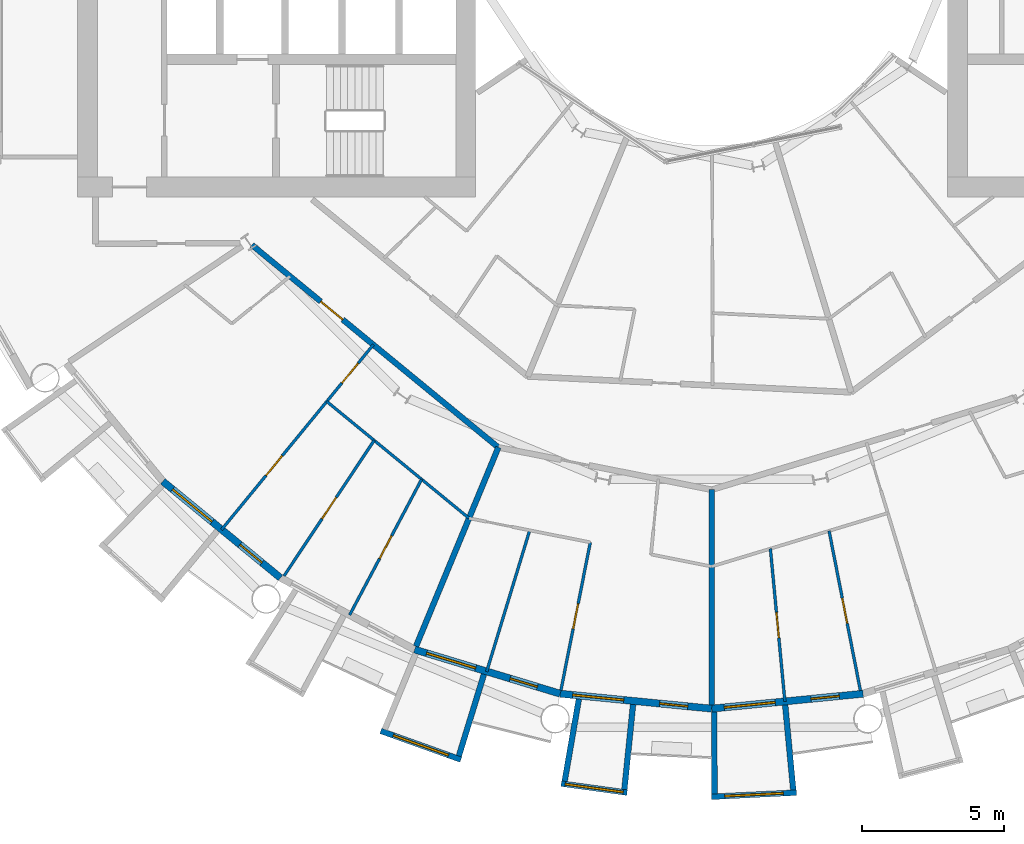
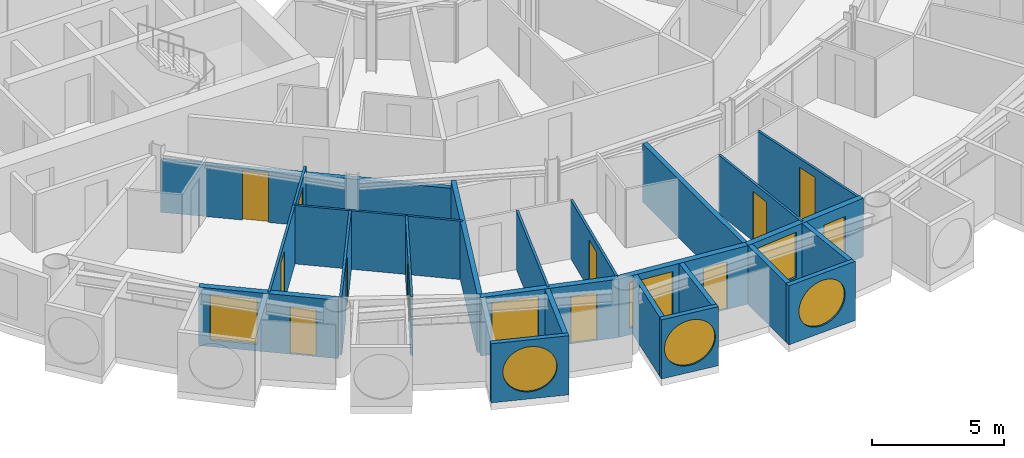
# One storey, part 13 of 26: 23 walls, 12 doors, 7 windows, 19 openings.
"""IFC4 building model written with IfcOpenShell, lengths in metres."""

from ifc_helpers import new_model, si_unit, direction, frame, frame_2d, origin, place, context, subcontext, project, spatial, rectangle, circle, extrude, material, layer, layer_set, type_object, element, fill, save


model = new_model("IFC4")

# Units and contexts
model_context = context("Model", 3, precision=1e-05, world=origin(), true_north=direction((0.0, 1.0)))
body_context = subcontext(model_context, "Body", "Model", "MODEL_VIEW")
ifc_project = project(units=[si_unit("LENGTHUNIT", "METRE"), si_unit("AREAUNIT", "SQUARE_METRE"), si_unit("VOLUMEUNIT", "CUBIC_METRE"), si_unit("PLANEANGLEUNIT", "RADIAN"), si_unit("MASSUNIT", "GRAM", prefix="KILO")], contexts=[model_context])

# Site, building, storey
site_placement = place(None, origin())
site = spatial("IfcSite", under=ifc_project, at=site_placement, CompositionType="ELEMENT")
building_placement = place(site_placement, origin())
building = spatial("IfcBuilding", under=site, at=building_placement, Name="Maasbend Ring Residences", CompositionType="ELEMENT")
storey_placement = place(building_placement, frame((0.0, 0.0, 72.75)))
storey = spatial("IfcBuildingStorey", under=building, at=storey_placement, Name="L20", CompositionType="ELEMENT", Elevation=72.75)

# Wall, opening, door
ifc_material_1 = material(Name="Concrete C30/37", Category="concrete")
ifc_layer_1 = layer(ifc_material_1, 0.199951171875)
ifc_layer_set_1 = layer_set([ifc_layer_1], Name="Concrete C30/37")
wall_type_1 = type_object("IfcWallType", Name="CORRIDOR WALL 200 CONCRETE", PredefinedType="PARTITIONING", material=ifc_layer_set_1)
wall_1_placement = place(storey_placement, frame((-16.172119140625, -10.989990234375, 0.0), z_axis=(0.0, 0.0, 1.0), x_axis=(0.772669779479, -0.634808169355, 0.0)))
wall_1 = element("IfcWall", 1, at=wall_1_placement, inside=storey, type_object=wall_type_1, Name="U-L20-w013", PredefinedType="PARTITIONING", context=body_context, shape_type="SweptSolid", body=[
    extrude(rectangle(XDim=11.2080078125, YDim=0.199951171875, at=frame_2d((5.60400390625, 0.0))), origin(), (0.0, 0.0, 1.0), 2.3798828125),
])
opening_1_placement = place(wall_1_placement, frame((3.135009765625, 0.0, 0.0)))
opening_1 = element("IfcOpeningElement", 2, at=opening_1_placement, cuts=wall_1, Name="Opening D-2033", PredefinedType="OPENING", context=body_context, shape_type="SweptSolid", body=[
    extrude(rectangle(XDim=1.0, YDim=2.300048828125, at=frame_2d((0.5, 1.14990234375))), frame((0.0, 0.10986328125, 0.0), z_axis=(0.0, -1.0, 0.0), x_axis=(1.0, 0.0, 0.0)), (0.0, 0.0, 1.0), 0.219970703125),
])
ifc_material_2 = material(Name="Timber, fire-rated, painted", Category="wood")
door_type_1 = type_object("IfcDoorType", Name="FLAT ENTRANCE DOOR 1000 X 2300 FIRE-RATED", OperationType="NOTDEFINED", PredefinedType="DOOR", material=ifc_material_2)
door_1_placement = place(opening_1_placement, origin())
door_1 = element("IfcDoor", 3, at=door_1_placement, inside=storey, type_object=door_type_1, Name="D-2033", OperationType="SINGLE_SWING_LEFT", OverallHeight=2.300048828125, OverallWidth=1.0, PredefinedType="DOOR", context=body_context, shape_type="SweptSolid", body=[
    extrude(rectangle(XDim=1.0, YDim=2.300048828125, at=frame_2d((0.5, 1.14990234375))), frame((0.0, 0.02490234375, 0.0), z_axis=(0.0, -1.0, 0.0), x_axis=(1.0, 0.0, 0.0)), (0.0, 0.0, 1.0), 0.050048828125),
])
fill(opening_1, door_1)

# Wall, opening, window
ifc_material_3 = material(Name="Pale anodised aluminium panel", Category="aluminium")
ifc_layer_2 = layer(ifc_material_3, 0.199951171875)
ifc_layer_set_2 = layer_set([ifc_layer_2], Name="EW-BOX")
wall_type_2 = type_object("IfcWallType", Name="EW-BOX", PredefinedType="SOLIDWALL", material=ifc_layer_set_2)
wall_2_placement = place(storey_placement, frame((-11.637939453125, -28.083984375, -0.030029296875), z_axis=(0.0, 0.0, 1.0), x_axis=(0.941461077774, -0.337121697664, 0.0)))
wall_2 = element("IfcWall", 4, at=wall_2_placement, inside=storey, type_object=wall_type_2, Name="Box front S07", PredefinedType="SOLIDWALL", context=body_context, shape_type="SweptSolid", body=[
    extrude(rectangle(XDim=2.9931640625, YDim=0.199951171875, at=frame_2d((1.49658203125, 0.0))), origin(), (0.0, 0.0, 1.0), 2.72998046875),
])
opening_2_placement = place(wall_2_placement, frame((0.45654296875, 0.0, 0.330078125)))
opening_2 = element("IfcOpeningElement", 5, at=opening_2_placement, cuts=wall_2, Name="Opening W-RD", PredefinedType="OPENING", context=body_context, shape_type="SweptSolid", body=[
    extrude(circle(Radius=1.0400390625, at=frame_2d((1.0400390625, 1.0400390625))), frame((0.0, 0.10986328125, 0.0), z_axis=(0.0, -1.0, 0.0), x_axis=(1.0, 0.0, 0.0)), (0.0, 0.0, 1.0), 0.219970703125),
])
ifc_material_4 = material(Name="Aluminium and clear glass", Category="aluminium")
window_type_1 = type_object("IfcWindowType", Name="W-RD", PartitioningType="SINGLE_PANEL", PredefinedType="WINDOW", material=ifc_material_4)
window_1_placement = place(opening_2_placement, origin())
window_1 = element("IfcWindow", 6, at=window_1_placement, inside=storey, type_object=window_type_1, Name="Round window S07", OverallHeight=2.080078125, OverallWidth=2.080078125, PartitioningType="SINGLE_PANEL", PredefinedType="WINDOW", context=body_context, shape_type="SweptSolid", body=[
    extrude(circle(Radius=1.0400390625, at=frame_2d((1.0400390625, 1.0400390625))), frame((0.0, 0.030029296875, 0.0), z_axis=(0.0, -1.0, 0.0), x_axis=(1.0, 0.0, 0.0)), (0.0, 0.0, 1.0), 0.06005859375),
])
fill(opening_2, window_1)

# Wall
wall_3_placement = place(storey_placement, frame((-8.009033203125, -26.092041015625, -0.030029296875), z_axis=(0.0, 0.0, 1.0), x_axis=(-0.293406695073, -0.955987715029, 0.0)))
element("IfcWall", 7, at=wall_3_placement, inside=storey, type_object=wall_type_2, Name="Box side wall S07 right", PredefinedType="SOLIDWALL", context=body_context, shape_type="SweptSolid", body=[
    extrude(rectangle(XDim=3.00634765625, YDim=0.199951171875, at=frame_2d((1.503173828125, 0.0))), origin(), (0.0, 0.0, 1.0), 2.72998046875),
])

# Wall, opening, window
wall_4_placement = place(storey_placement, frame((-5.2900390625, -29.93603515625, -0.030029296875), z_axis=(0.0, 0.0, 1.0), x_axis=(0.990696111261, -0.136092671119, 0.0)))
wall_4 = element("IfcWall", 8, at=wall_4_placement, inside=storey, type_object=wall_type_2, Name="Box front S09", PredefinedType="SOLIDWALL", context=body_context, shape_type="SweptSolid", body=[
    extrude(rectangle(XDim=2.335693359375, YDim=0.199951171875, at=frame_2d((1.16796875, 0.0))), origin(), (0.0, 0.0, 1.0), 2.72998046875),
])
opening_3_placement = place(wall_4_placement, frame((0.128173828125, 0.0, 0.330078125)))
opening_3 = element("IfcOpeningElement", 9, at=opening_3_placement, cuts=wall_4, Name="Opening W-RD", PredefinedType="OPENING", context=body_context, shape_type="SweptSolid", body=[
    extrude(circle(Radius=1.0400390625, at=frame_2d((1.0400390625, 1.0400390625))), frame((0.0, 0.10986328125, 0.0), z_axis=(0.0, -1.0, 0.0), x_axis=(1.0, 0.0, 0.0)), (0.0, 0.0, 1.0), 0.219970703125),
])
window_2_placement = place(opening_3_placement, origin())
window_2 = element("IfcWindow", 10, at=window_2_placement, inside=storey, type_object=window_type_1, Name="Round window S09", OverallHeight=2.080078125, OverallWidth=2.080078125, PartitioningType="SINGLE_PANEL", PredefinedType="WINDOW", context=body_context, shape_type="SweptSolid", body=[
    extrude(circle(Radius=1.0400390625, at=frame_2d((1.0400390625, 1.0400390625))), frame((0.0, 0.030029296875, 0.0), z_axis=(0.0, -1.0, 0.0), x_axis=(1.0, 0.0, 0.0)), (0.0, 0.0, 1.0), 0.06005859375),
])
fill(opening_3, window_2)

# Walls
wall_5_placement = place(storey_placement, frame((-4.6708984375, -26.966064453125, -0.030029296875), z_axis=(0.0, 0.0, 1.0), x_axis=(-0.170539878907, -0.985350774954, 0.0)))
element("IfcWall", 11, at=wall_5_placement, inside=storey, type_object=wall_type_2, Name="Box side wall S09 left", PredefinedType="SOLIDWALL", context=body_context, shape_type="SweptSolid", body=[
    extrude(rectangle(XDim=2.931884765625, YDim=0.199951171875, at=frame_2d((1.4658203125, 0.0))), origin(), (0.0, 0.0, 1.0), 2.72998046875),
])
wall_6_placement = place(storey_placement, frame((-2.763916015625, -27.153076171875, -0.030029296875), z_axis=(0.0, 0.0, 1.0), x_axis=(-0.101505487237, -0.994834979311, 0.0)))
element("IfcWall", 12, at=wall_6_placement, inside=storey, type_object=wall_type_2, Name="Box side wall S09 right", PredefinedType="SOLIDWALL", context=body_context, shape_type="SweptSolid", body=[
    extrude(rectangle(XDim=3.006591796875, YDim=0.199951171875, at=frame_2d((1.50341796875, 0.0))), origin(), (0.0, 0.0, 1.0), 2.72998046875),
])

# Wall, opening, window
wall_7_placement = place(storey_placement, frame((-0.0048828125, -30.39990234375, -0.030029296875), z_axis=(0.0, 0.0, 1.0), x_axis=(0.998794083011, 0.049095618353, 0.0)))
wall_7 = element("IfcWall", 13, at=wall_7_placement, inside=storey, type_object=wall_type_2, Name="Box front S11", PredefinedType="SOLIDWALL", context=body_context, shape_type="SweptSolid", body=[
    extrude(rectangle(XDim=2.99365234375, YDim=0.199951171875, at=frame_2d((1.496826171875, 0.0))), origin(), (0.0, 0.0, 1.0), 2.72998046875),
])
opening_4_placement = place(wall_7_placement, frame((0.45654296875, 0.0, 0.330078125)))
opening_4 = element("IfcOpeningElement", 14, at=opening_4_placement, cuts=wall_7, Name="Opening W-RD", PredefinedType="OPENING", context=body_context, shape_type="SweptSolid", body=[
    extrude(circle(Radius=1.0400390625, at=frame_2d((1.0400390625, 1.0400390625))), frame((0.0, 0.10986328125, 0.0), z_axis=(0.0, -1.0, 0.0), x_axis=(1.0, 0.0, 0.0)), (0.0, 0.0, 1.0), 0.219970703125),
])
window_3_placement = place(opening_4_placement, origin())
window_3 = element("IfcWindow", 15, at=window_3_placement, inside=storey, type_object=window_type_1, Name="Round window S11", OverallHeight=2.080078125, OverallWidth=2.080078125, PartitioningType="SINGLE_PANEL", PredefinedType="WINDOW", context=body_context, shape_type="SweptSolid", body=[
    extrude(circle(Radius=1.0400390625, at=frame_2d((1.0400390625, 1.0400390625))), frame((0.0, 0.030029296875, 0.0), z_axis=(0.0, -1.0, 0.0), x_axis=(1.0, 0.0, 0.0)), (0.0, 0.0, 1.0), 0.06005859375),
])
fill(opening_4, window_3)

# Walls
wall_8_placement = place(storey_placement, frame((0.090087890625, -27.4169921875, -0.030029296875), z_axis=(0.0, 0.0, 1.0), x_axis=(0.00347308367, -0.999993968827, 0.0)))
element("IfcWall", 16, at=wall_8_placement, inside=storey, type_object=wall_type_2, Name="Box side wall S11 left", PredefinedType="SOLIDWALL", context=body_context, shape_type="SweptSolid", body=[
    extrude(rectangle(XDim=2.882080078125, YDim=0.199951171875, at=frame_2d((1.44091796875, 0.0))), origin(), (0.0, 0.0, 1.0), 2.72998046875),
])
wall_9_placement = place(storey_placement, frame((2.5859375, -27.1708984375, -0.030029296875), z_axis=(0.0, 0.0, 1.0), x_axis=(0.094548432284, -0.995520262954, 0.0)))
element("IfcWall", 17, at=wall_9_placement, inside=storey, type_object=wall_type_2, Name="Box side wall S11 right", PredefinedType="SOLIDWALL", context=body_context, shape_type="SweptSolid", body=[
    extrude(rectangle(XDim=3.005615234375, YDim=0.199951171875, at=frame_2d((1.5029296875, 0.0))), origin(), (0.0, 0.0, 1.0), 2.72998046875),
])

# Wall, openings, door, window
ifc_material_5 = material(Name="Aluminium clad insulated panel", Category="aluminium")
ifc_layer_3 = layer(ifc_material_5, 0.25)
ifc_layer_set_3 = layer_set([ifc_layer_3], Name="EW-GL")
wall_type_3 = type_object("IfcWallType", Name="EW-GL", PredefinedType="SOLIDWALL", material=ifc_layer_set_3)
wall_10_placement = place(storey_placement, frame((-19.303955078125, -19.303955078125, 0.0), z_axis=(0.0, 0.0, 1.0), x_axis=(0.773019449054, -0.634382322723, 0.0)))
wall_10 = element("IfcWall", 18, at=wall_10_placement, inside=storey, type_object=wall_type_3, Name="External wall S02", PredefinedType="SOLIDWALL", context=body_context, shape_type="SweptSolid", body=[
    extrude(rectangle(XDim=5.351806640625, YDim=0.25, at=frame_2d((2.67578125, 0.0))), origin(), (0.0, 0.0, 1.0), 2.699951171875),
])
opening_5_placement = place(wall_10_placement, frame((0.441162109375, 0.0, 0.300048828125)))
opening_5 = element("IfcOpeningElement", 19, at=opening_5_placement, cuts=wall_10, Name="Opening W-BX", PredefinedType="OPENING", context=body_context, shape_type="SweptSolid", body=[
    extrude(rectangle(XDim=1.800048828125, YDim=2.10009765625, at=frame_2d((0.89990234375, 1.050048828125))), frame((0.0, 0.135009765625, 0.0), z_axis=(0.0, -1.0, 0.0), x_axis=(1.0, 0.0, 0.0)), (0.0, 0.0, 1.0), 0.27001953125),
])
opening_6_placement = place(wall_10_placement, frame((3.510498046875, 0.0, 0.0)))
opening_6 = element("IfcOpeningElement", 20, at=opening_6_placement, cuts=wall_10, Name="Opening D-LG", PredefinedType="OPENING", context=body_context, shape_type="SweptSolid", body=[
    extrude(rectangle(XDim=1.0, YDim=2.199951171875, at=frame_2d((0.5, 1.10009765625))), frame((0.0, 0.135009765625, 0.0), z_axis=(0.0, -1.0, 0.0), x_axis=(1.0, 0.0, 0.0)), (0.0, 0.0, 1.0), 0.27001953125),
])
ifc_material_6 = material(Name="Aluminium and clear glass", Category="aluminium")
door_type_2 = type_object("IfcDoorType", Name="D-LG", OperationType="SINGLE_SWING_LEFT", PredefinedType="DOOR", material=ifc_material_6)
door_2_placement = place(opening_6_placement, origin())
door_2 = element("IfcDoor", 21, at=door_2_placement, inside=storey, type_object=door_type_2, Name="Loggia door S04", OperationType="SINGLE_SWING_LEFT", OverallHeight=2.199951171875, OverallWidth=1.0, PredefinedType="DOOR", context=body_context, shape_type="SweptSolid", body=[
    extrude(rectangle(XDim=1.0, YDim=2.199951171875, at=frame_2d((0.5, 1.10009765625))), frame((0.0, 0.02490234375, 0.0), z_axis=(0.0, -1.0, 0.0), x_axis=(1.0, 0.0, 0.0)), (0.0, 0.0, 1.0), 0.050048828125),
])
fill(opening_6, door_2)
ifc_material_7 = material(Name="Aluminium and clear glass", Category="aluminium")
window_type_2 = type_object("IfcWindowType", Name="W-BX", PartitioningType="DOUBLE_PANEL_VERTICAL", PredefinedType="WINDOW", material=ifc_material_7)
window_4_placement = place(opening_5_placement, origin())
window_4 = element("IfcWindow", 22, at=window_4_placement, inside=storey, type_object=window_type_2, Name="Window S03 room to box", OverallHeight=2.10009765625, OverallWidth=1.800048828125, PartitioningType="SINGLE_PANEL", PredefinedType="WINDOW", context=body_context, shape_type="SweptSolid", body=[
    extrude(rectangle(XDim=1.800048828125, YDim=2.10009765625, at=frame_2d((0.89990234375, 1.050048828125))), frame((0.0, 0.030029296875, 0.0), z_axis=(0.0, -1.0, 0.0), x_axis=(1.0, 0.0, 0.0)), (0.0, 0.0, 1.0), 0.06005859375),
])
fill(opening_5, window_4)

wall_11_placement = place(storey_placement, frame((-10.447021484375, -25.221923828125, 0.0), z_axis=(0.0, 0.0, 1.0), x_axis=(0.956965678721, -0.290201119486, 0.0)))
wall_11 = element("IfcWall", 23, at=wall_11_placement, inside=storey, type_object=wall_type_3, Name="External wall S04", PredefinedType="SOLIDWALL", context=body_context, shape_type="SweptSolid", body=[
    extrude(rectangle(XDim=5.351318359375, YDim=0.25, at=frame_2d((2.67578125, 0.0))), origin(), (0.0, 0.0, 1.0), 2.699951171875),
])
opening_7_placement = place(wall_11_placement, frame((0.441162109375, 0.0, 0.300048828125)))
opening_7 = element("IfcOpeningElement", 24, at=opening_7_placement, cuts=wall_11, Name="Opening W-BX", PredefinedType="OPENING", context=body_context, shape_type="SweptSolid", body=[
    extrude(rectangle(XDim=1.800048828125, YDim=2.10009765625, at=frame_2d((0.89990234375, 1.050048828125))), frame((0.0, 0.135009765625, 0.0), z_axis=(0.0, -1.0, 0.0), x_axis=(1.0, 0.0, 0.0)), (0.0, 0.0, 1.0), 0.27001953125),
])
opening_8_placement = place(wall_11_placement, frame((3.510498046875, 0.0, 0.0)))
opening_8 = element("IfcOpeningElement", 25, at=opening_8_placement, cuts=wall_11, Name="Opening D-LG", PredefinedType="OPENING", context=body_context, shape_type="SweptSolid", body=[
    extrude(rectangle(XDim=1.0, YDim=2.199951171875, at=frame_2d((0.5, 1.10009765625))), frame((0.0, 0.135009765625, 0.0), z_axis=(0.0, -1.0, 0.0), x_axis=(1.0, 0.0, 0.0)), (0.0, 0.0, 1.0), 0.27001953125),
])
door_3_placement = place(opening_8_placement, origin())
door_3 = element("IfcDoor", 26, at=door_3_placement, inside=storey, type_object=door_type_2, Name="Loggia door S08", OperationType="SINGLE_SWING_LEFT", OverallHeight=2.199951171875, OverallWidth=1.0, PredefinedType="DOOR", context=body_context, shape_type="SweptSolid", body=[
    extrude(rectangle(XDim=1.0, YDim=2.199951171875, at=frame_2d((0.5, 1.10009765625))), frame((0.0, 0.02490234375, 0.0), z_axis=(0.0, -1.0, 0.0), x_axis=(1.0, 0.0, 0.0)), (0.0, 0.0, 1.0), 0.050048828125),
])
fill(opening_8, door_3)
window_5_placement = place(opening_7_placement, origin())
window_5 = element("IfcWindow", 27, at=window_5_placement, inside=storey, type_object=window_type_2, Name="Window S07 room to box", OverallHeight=2.10009765625, OverallWidth=1.800048828125, PartitioningType="SINGLE_PANEL", PredefinedType="WINDOW", context=body_context, shape_type="SweptSolid", body=[
    extrude(rectangle(XDim=1.800048828125, YDim=2.10009765625, at=frame_2d((0.89990234375, 1.050048828125))), frame((0.0, 0.030029296875, 0.0), z_axis=(0.0, -1.0, 0.0), x_axis=(1.0, 0.0, 0.0)), (0.0, 0.0, 1.0), 0.06005859375),
])
fill(opening_7, window_5)

wall_12_placement = place(storey_placement, frame((-5.325927734375, -26.77490234375, 0.0), z_axis=(0.0, 0.0, 1.0), x_axis=(0.995173996315, -0.098126026407, 0.0)))
wall_12 = element("IfcWall", 28, at=wall_12_placement, inside=storey, type_object=wall_type_3, Name="External wall S05", PredefinedType="SOLIDWALL", context=body_context, shape_type="SweptSolid", body=[
    extrude(rectangle(XDim=5.351806640625, YDim=0.25, at=frame_2d((2.67578125, 0.0))), origin(), (0.0, 0.0, 1.0), 2.699951171875),
])
opening_9_placement = place(wall_12_placement, frame((0.441162109375, 0.0, 0.300048828125)))
opening_9 = element("IfcOpeningElement", 29, at=opening_9_placement, cuts=wall_12, Name="Opening W-BX", PredefinedType="OPENING", context=body_context, shape_type="SweptSolid", body=[
    extrude(rectangle(XDim=1.800048828125, YDim=2.10009765625, at=frame_2d((0.89990234375, 1.050048828125))), frame((0.0, 0.135009765625, 0.0), z_axis=(0.0, -1.0, 0.0), x_axis=(1.0, 0.0, 0.0)), (0.0, 0.0, 1.0), 0.27001953125),
])
opening_10_placement = place(wall_12_placement, frame((3.510498046875, 0.0, 0.0)))
opening_10 = element("IfcOpeningElement", 30, at=opening_10_placement, cuts=wall_12, Name="Opening D-LG", PredefinedType="OPENING", context=body_context, shape_type="SweptSolid", body=[
    extrude(rectangle(XDim=1.0, YDim=2.199951171875, at=frame_2d((0.5, 1.10009765625))), frame((0.0, 0.135009765625, 0.0), z_axis=(0.0, -1.0, 0.0), x_axis=(1.0, 0.0, 0.0)), (0.0, 0.0, 1.0), 0.27001953125),
])
door_4_placement = place(opening_10_placement, origin())
door_4 = element("IfcDoor", 31, at=door_4_placement, inside=storey, type_object=door_type_2, Name="Loggia door S10", OperationType="SINGLE_SWING_LEFT", OverallHeight=2.199951171875, OverallWidth=1.0, PredefinedType="DOOR", context=body_context, shape_type="SweptSolid", body=[
    extrude(rectangle(XDim=1.0, YDim=2.199951171875, at=frame_2d((0.5, 1.10009765625))), frame((0.0, 0.02490234375, 0.0), z_axis=(0.0, -1.0, 0.0), x_axis=(1.0, 0.0, 0.0)), (0.0, 0.0, 1.0), 0.050048828125),
])
fill(opening_10, door_4)
window_6_placement = place(opening_9_placement, origin())
window_6 = element("IfcWindow", 32, at=window_6_placement, inside=storey, type_object=window_type_2, Name="Window S09 room to box", OverallHeight=2.10009765625, OverallWidth=1.800048828125, PartitioningType="SINGLE_PANEL", PredefinedType="WINDOW", context=body_context, shape_type="SweptSolid", body=[
    extrude(rectangle(XDim=1.800048828125, YDim=2.10009765625, at=frame_2d((0.89990234375, 1.050048828125))), frame((0.0, 0.030029296875, 0.0), z_axis=(0.0, -1.0, 0.0), x_axis=(1.0, 0.0, 0.0)), (0.0, 0.0, 1.0), 0.06005859375),
])
fill(opening_9, window_6)

wall_13_placement = place(storey_placement, frame((0.0, -27.300048828125, 0.0), z_axis=(0.0, 0.0, 1.0), x_axis=(0.995173996315, 0.098126026407, 0.0)))
wall_13 = element("IfcWall", 33, at=wall_13_placement, inside=storey, type_object=wall_type_3, Name="External wall S06", PredefinedType="SOLIDWALL", context=body_context, shape_type="SweptSolid", body=[
    extrude(rectangle(XDim=5.351806640625, YDim=0.25, at=frame_2d((2.67578125, 0.0))), origin(), (0.0, 0.0, 1.0), 2.699951171875),
])
opening_11_placement = place(wall_13_placement, frame((0.441162109375, 0.0, 0.300048828125)))
opening_11 = element("IfcOpeningElement", 34, at=opening_11_placement, cuts=wall_13, Name="Opening W-BX", PredefinedType="OPENING", context=body_context, shape_type="SweptSolid", body=[
    extrude(rectangle(XDim=1.800048828125, YDim=2.10009765625, at=frame_2d((0.89990234375, 1.050048828125))), frame((0.0, 0.135009765625, 0.0), z_axis=(0.0, -1.0, 0.0), x_axis=(1.0, 0.0, 0.0)), (0.0, 0.0, 1.0), 0.27001953125),
])
opening_12_placement = place(wall_13_placement, frame((3.510498046875, 0.0, 0.0)))
opening_12 = element("IfcOpeningElement", 35, at=opening_12_placement, cuts=wall_13, Name="Opening D-LG", PredefinedType="OPENING", context=body_context, shape_type="SweptSolid", body=[
    extrude(rectangle(XDim=1.0, YDim=2.199951171875, at=frame_2d((0.5, 1.10009765625))), frame((0.0, 0.135009765625, 0.0), z_axis=(0.0, -1.0, 0.0), x_axis=(1.0, 0.0, 0.0)), (0.0, 0.0, 1.0), 0.27001953125),
])
door_5_placement = place(opening_12_placement, origin())
door_5 = element("IfcDoor", 36, at=door_5_placement, inside=storey, type_object=door_type_2, Name="Loggia door S12", OperationType="SINGLE_SWING_LEFT", OverallHeight=2.199951171875, OverallWidth=1.0, PredefinedType="DOOR", context=body_context, shape_type="SweptSolid", body=[
    extrude(rectangle(XDim=1.0, YDim=2.199951171875, at=frame_2d((0.5, 1.10009765625))), frame((0.0, 0.02490234375, 0.0), z_axis=(0.0, -1.0, 0.0), x_axis=(1.0, 0.0, 0.0)), (0.0, 0.0, 1.0), 0.050048828125),
])
fill(opening_12, door_5)
window_7_placement = place(opening_11_placement, origin())
window_7 = element("IfcWindow", 37, at=window_7_placement, inside=storey, type_object=window_type_2, Name="Window S11 room to box", OverallHeight=2.10009765625, OverallWidth=1.800048828125, PartitioningType="SINGLE_PANEL", PredefinedType="WINDOW", context=body_context, shape_type="SweptSolid", body=[
    extrude(rectangle(XDim=1.800048828125, YDim=2.10009765625, at=frame_2d((0.89990234375, 1.050048828125))), frame((0.0, 0.030029296875, 0.0), z_axis=(0.0, -1.0, 0.0), x_axis=(1.0, 0.0, 0.0)), (0.0, 0.0, 1.0), 0.06005859375),
])
fill(opening_11, window_7)

# Wall
ifc_material_8 = material(Name="Gypsum board on steel studs", Category="steel")
ifc_layer_4 = layer(ifc_material_8, 0.10009765625)
ifc_layer_set_4 = layer_set([ifc_layer_4], Name="PARTITION 100 GYPSUM")
wall_type_4 = type_object("IfcWallType", Name="PARTITION 100 GYPSUM", PredefinedType="PARTITIONING", material=ifc_layer_set_4)
wall_14_placement = place(storey_placement, frame((-13.5380859375, -16.49609375, 0.0), z_axis=(0.0, 0.0, 1.0), x_axis=(0.773000340237, -0.634405606843, 0.0)))
element("IfcWall", 38, at=wall_14_placement, inside=storey, type_object=wall_type_4, Name="U-L20-w008", PredefinedType="PARTITIONING", context=body_context, shape_type="SweptSolid", body=[
    extrude(rectangle(XDim=6.4736328125, YDim=0.10009765625, at=frame_2d((3.23681640625, 0.0))), origin(), (0.0, 0.0, 1.0), 2.699951171875),
])

# Wall, openings, doors
wall_15_placement = place(storey_placement, frame((-17.239990234375, -21.007080078125, 0.0), z_axis=(0.0, 0.0, 1.0), x_axis=(0.634396151441, 0.77300810024, 0.0)))
wall_15 = element("IfcWall", 39, at=wall_15_placement, inside=storey, type_object=wall_type_4, Name="U-L20-w034", PredefinedType="PARTITIONING", context=body_context, shape_type="SweptSolid", body=[
    extrude(rectangle(XDim=8.419189453125, YDim=0.10009765625, at=frame_2d((4.20947265625, 0.0))), origin(), (0.0, 0.0, 1.0), 2.699951171875),
])
opening_13_placement = place(wall_15_placement, frame((6.678955078125, 0.0, 0.0)))
opening_13 = element("IfcOpeningElement", 40, at=opening_13_placement, cuts=wall_15, Name="Opening D-2035", PredefinedType="OPENING", context=body_context, shape_type="SweptSolid", body=[
    extrude(rectangle(XDim=0.89990234375, YDim=2.300048828125, at=frame_2d((0.449951171875, 1.14990234375))), frame((0.0, 0.06005859375, 0.0), z_axis=(0.0, -1.0, 0.0), x_axis=(1.0, 0.0, 0.0)), (0.0, 0.0, 1.0), 0.1201171875),
])
opening_14_placement = place(wall_15_placement, frame((2.468017578125, 0.0, 0.0)))
opening_14 = element("IfcOpeningElement", 41, at=opening_14_placement, cuts=wall_15, Name="Opening D-2036", PredefinedType="OPENING", context=body_context, shape_type="SweptSolid", body=[
    extrude(rectangle(XDim=0.89990234375, YDim=2.300048828125, at=frame_2d((0.449951171875, 1.14990234375))), frame((0.0, 0.06005859375, 0.0), z_axis=(0.0, -1.0, 0.0), x_axis=(1.0, 0.0, 0.0)), (0.0, 0.0, 1.0), 0.1201171875),
])
ifc_material_9 = material(Name="Timber, painted", Category="wood")
door_type_3 = type_object("IfcDoorType", Name="INTERNAL DOOR 900 X 2300", OperationType="NOTDEFINED", PredefinedType="DOOR", material=ifc_material_9)
door_6_placement = place(opening_13_placement, origin())
door_6 = element("IfcDoor", 42, at=door_6_placement, inside=storey, type_object=door_type_3, Name="D-2035", OperationType="SINGLE_SWING_RIGHT", OverallHeight=2.300048828125, OverallWidth=0.89990234375, PredefinedType="DOOR", context=body_context, shape_type="SweptSolid", body=[
    extrude(rectangle(XDim=0.89990234375, YDim=2.300048828125, at=frame_2d((0.449951171875, 1.14990234375))), frame((0.0, 0.02490234375, 0.0), z_axis=(0.0, -1.0, 0.0), x_axis=(1.0, 0.0, 0.0)), (0.0, 0.0, 1.0), 0.050048828125),
])
fill(opening_13, door_6)
door_7_placement = place(opening_14_placement, origin())
door_7 = element("IfcDoor", 43, at=door_7_placement, inside=storey, type_object=door_type_3, Name="D-2036", OperationType="SINGLE_SWING_LEFT", OverallHeight=2.300048828125, OverallWidth=0.89990234375, PredefinedType="DOOR", context=body_context, shape_type="SweptSolid", body=[
    extrude(rectangle(XDim=0.89990234375, YDim=2.300048828125, at=frame_2d((0.449951171875, 1.14990234375))), frame((0.0, 0.02490234375, 0.0), z_axis=(0.0, -1.0, 0.0), x_axis=(1.0, 0.0, 0.0)), (0.0, 0.0, 1.0), 0.050048828125),
])
fill(opening_14, door_7)

# Wall, opening, door
wall_16_placement = place(storey_placement, frame((-15.041015625, -22.632080078125, 0.0), z_axis=(0.0, 0.0, 1.0), x_axis=(0.553637025191, 0.83275809473, 0.0)))
wall_16 = element("IfcWall", 44, at=wall_16_placement, inside=storey, type_object=wall_type_4, Name="U-L20-w037", PredefinedType="PARTITIONING", context=body_context, shape_type="SweptSolid", body=[
    extrude(rectangle(XDim=5.7255859375, YDim=0.10009765625, at=frame_2d((2.86279296875, 0.0))), origin(), (0.0, 0.0, 1.0), 2.699951171875),
])
opening_15_placement = place(wall_16_placement, frame((2.412109375, 0.0, 0.0)))
opening_15 = element("IfcOpeningElement", 45, at=opening_15_placement, cuts=wall_16, Name="Opening D-2037", PredefinedType="OPENING", context=body_context, shape_type="SweptSolid", body=[
    extrude(rectangle(XDim=0.89990234375, YDim=2.300048828125, at=frame_2d((0.449951171875, 1.14990234375))), frame((0.0, 0.06005859375, 0.0), z_axis=(0.0, -1.0, 0.0), x_axis=(1.0, 0.0, 0.0)), (0.0, 0.0, 1.0), 0.1201171875),
])
door_8_placement = place(opening_15_placement, origin())
door_8 = element("IfcDoor", 46, at=door_8_placement, inside=storey, type_object=door_type_3, Name="D-2037", OperationType="SINGLE_SWING_LEFT", OverallHeight=2.300048828125, OverallWidth=0.89990234375, PredefinedType="DOOR", context=body_context, shape_type="SweptSolid", body=[
    extrude(rectangle(XDim=0.89990234375, YDim=2.300048828125, at=frame_2d((0.449951171875, 1.14990234375))), frame((0.0, 0.02490234375, 0.0), z_axis=(0.0, -1.0, 0.0), x_axis=(1.0, 0.0, 0.0)), (0.0, 0.0, 1.0), 0.050048828125),
])
fill(opening_15, door_8)

wall_17_placement = place(storey_placement, frame((-12.73388671875, -24.007080078125, 0.0), z_axis=(0.0, 0.0, 1.0), x_axis=(0.468610030042, 0.883405139075, 0.0)))
wall_17 = element("IfcWall", 47, at=wall_17_placement, inside=storey, type_object=wall_type_4, Name="U-L20-w040", PredefinedType="PARTITIONING", context=body_context, shape_type="SweptSolid", body=[
    extrude(rectangle(XDim=5.403076171875, YDim=0.10009765625, at=frame_2d((2.70166015625, 0.0))), origin(), (0.0, 0.0, 1.0), 2.699951171875),
])
opening_16_placement = place(wall_17_placement, frame((2.251953125, 0.0, 0.0)))
opening_16 = element("IfcOpeningElement", 48, at=opening_16_placement, cuts=wall_17, Name="Opening D-2038", PredefinedType="OPENING", context=body_context, shape_type="SweptSolid", body=[
    extrude(rectangle(XDim=0.89990234375, YDim=2.300048828125, at=frame_2d((0.449951171875, 1.14990234375))), frame((0.0, 0.06005859375, 0.0), z_axis=(0.0, -1.0, 0.0), x_axis=(1.0, 0.0, 0.0)), (0.0, 0.0, 1.0), 0.1201171875),
])
door_9_placement = place(opening_16_placement, origin())
door_9 = element("IfcDoor", 49, at=door_9_placement, inside=storey, type_object=door_type_3, Name="D-2038", OperationType="SINGLE_SWING_LEFT", OverallHeight=2.300048828125, OverallWidth=0.89990234375, PredefinedType="DOOR", context=body_context, shape_type="SweptSolid", body=[
    extrude(rectangle(XDim=0.89990234375, YDim=2.300048828125, at=frame_2d((0.449951171875, 1.14990234375))), frame((0.0, 0.02490234375, 0.0), z_axis=(0.0, -1.0, 0.0), x_axis=(1.0, 0.0, 0.0)), (0.0, 0.0, 1.0), 0.050048828125),
])
fill(opening_16, door_9)

# Wall
wall_18_placement = place(storey_placement, frame((-7.9130859375, -25.9970703125, 0.0), z_axis=(0.0, 0.0, 1.0), x_axis=(0.291264462755, 0.956642573136, 0.0)))
element("IfcWall", 50, at=wall_18_placement, inside=storey, type_object=wall_type_4, Name="U-L20-w049", PredefinedType="PARTITIONING", context=body_context, shape_type="SweptSolid", body=[
    extrude(rectangle(XDim=5.1953125, YDim=0.10009765625, at=frame_2d((2.59765625, 0.0))), origin(), (0.0, 0.0, 1.0), 2.699951171875),
])

# Wall, opening, door
wall_19_placement = place(storey_placement, frame((-5.302001953125, -26.653076171875, 0.0), z_axis=(0.0, 0.0, 1.0), x_axis=(0.195115793364, 0.980780213493, 0.0)))
wall_19 = element("IfcWall", 51, at=wall_19_placement, inside=storey, type_object=wall_type_4, Name="U-L20-w053", PredefinedType="PARTITIONING", context=body_context, shape_type="SweptSolid", body=[
    extrude(rectangle(XDim=5.30419921875, YDim=0.10009765625, at=frame_2d((2.652099609375, 0.0))), origin(), (0.0, 0.0, 1.0), 2.699951171875),
])
opening_17_placement = place(wall_19_placement, frame((2.201904296875, 0.0, 0.0)))
opening_17 = element("IfcOpeningElement", 52, at=opening_17_placement, cuts=wall_19, Name="Opening D-2041", PredefinedType="OPENING", context=body_context, shape_type="SweptSolid", body=[
    extrude(rectangle(XDim=0.89990234375, YDim=2.300048828125, at=frame_2d((0.449951171875, 1.14990234375))), frame((0.0, 0.06005859375, 0.0), z_axis=(0.0, -1.0, 0.0), x_axis=(1.0, 0.0, 0.0)), (0.0, 0.0, 1.0), 0.1201171875),
])
door_10_placement = place(opening_17_placement, origin())
door_10 = element("IfcDoor", 53, at=door_10_placement, inside=storey, type_object=door_type_3, Name="D-2041", OperationType="SINGLE_SWING_LEFT", OverallHeight=2.300048828125, OverallWidth=0.89990234375, PredefinedType="DOOR", context=body_context, shape_type="SweptSolid", body=[
    extrude(rectangle(XDim=0.89990234375, YDim=2.300048828125, at=frame_2d((0.449951171875, 1.14990234375))), frame((0.0, 0.02490234375, 0.0), z_axis=(0.0, -1.0, 0.0), x_axis=(1.0, 0.0, 0.0)), (0.0, 0.0, 1.0), 0.050048828125),
])
fill(opening_17, door_10)

wall_20_placement = place(storey_placement, frame((2.06494140625, -21.674072265625, 0.0), z_axis=(0.0, 0.0, 1.0), x_axis=(0.094751520537, -0.99550095397, 0.0)))
wall_20 = element("IfcWall", 54, at=wall_20_placement, inside=storey, type_object=wall_type_4, Name="U-L20-w064", PredefinedType="PARTITIONING", context=body_context, shape_type="SweptSolid", body=[
    extrude(rectangle(XDim=5.4033203125, YDim=0.10009765625, at=frame_2d((2.70166015625, 0.0))), origin(), (0.0, 0.0, 1.0), 2.699951171875),
])
opening_18_placement = place(wall_20_placement, frame((2.251953125, 0.0, 0.0)))
opening_18 = element("IfcOpeningElement", 55, at=opening_18_placement, cuts=wall_20, Name="Opening D-2048", PredefinedType="OPENING", context=body_context, shape_type="SweptSolid", body=[
    extrude(rectangle(XDim=0.89990234375, YDim=2.300048828125, at=frame_2d((0.449951171875, 1.14990234375))), frame((0.0, 0.06005859375, 0.0), z_axis=(0.0, -1.0, 0.0), x_axis=(1.0, 0.0, 0.0)), (0.0, 0.0, 1.0), 0.1201171875),
])
door_11_placement = place(opening_18_placement, origin())
door_11 = element("IfcDoor", 56, at=door_11_placement, inside=storey, type_object=door_type_3, Name="D-2048", OperationType="SINGLE_SWING_LEFT", OverallHeight=2.300048828125, OverallWidth=0.89990234375, PredefinedType="DOOR", context=body_context, shape_type="SweptSolid", body=[
    extrude(rectangle(XDim=0.89990234375, YDim=2.300048828125, at=frame_2d((0.449951171875, 1.14990234375))), frame((0.0, 0.02490234375, 0.0), z_axis=(0.0, -1.0, 0.0), x_axis=(1.0, 0.0, 0.0)), (0.0, 0.0, 1.0), 0.050048828125),
])
fill(opening_18, door_11)

wall_21_placement = place(storey_placement, frame((4.1298828125, -21.047119140625, 0.0), z_axis=(0.0, 0.0, 1.0), x_axis=(0.192433779325, -0.981309961518, 0.0)))
wall_21 = element("IfcWall", 57, at=wall_21_placement, inside=storey, type_object=wall_type_4, Name="U-L20-w067", PredefinedType="PARTITIONING", context=body_context, shape_type="SweptSolid", body=[
    extrude(rectangle(XDim=5.726806640625, YDim=0.10009765625, at=frame_2d((2.86328125, 0.0))), origin(), (0.0, 0.0, 1.0), 2.699951171875),
])
opening_19_placement = place(wall_21_placement, frame((2.4140625, 0.0, 0.0)))
opening_19 = element("IfcOpeningElement", 58, at=opening_19_placement, cuts=wall_21, Name="Opening D-2047", PredefinedType="OPENING", context=body_context, shape_type="SweptSolid", body=[
    extrude(rectangle(XDim=0.89990234375, YDim=2.300048828125, at=frame_2d((0.449951171875, 1.14990234375))), frame((0.0, 0.06005859375, 0.0), z_axis=(0.0, -1.0, 0.0), x_axis=(1.0, 0.0, 0.0)), (0.0, 0.0, 1.0), 0.1201171875),
])
door_12_placement = place(opening_19_placement, origin())
door_12 = element("IfcDoor", 59, at=door_12_placement, inside=storey, type_object=door_type_3, Name="D-2047", OperationType="SINGLE_SWING_RIGHT", OverallHeight=2.300048828125, OverallWidth=0.89990234375, PredefinedType="DOOR", context=body_context, shape_type="SweptSolid", body=[
    extrude(rectangle(XDim=0.89990234375, YDim=2.300048828125, at=frame_2d((0.449951171875, 1.14990234375))), frame((0.0, 0.02490234375, 0.0), z_axis=(0.0, -1.0, 0.0), x_axis=(1.0, 0.0, 0.0)), (0.0, 0.0, 1.0), 0.050048828125),
])
fill(opening_19, door_12)

# Walls
ifc_material_10 = material(Name="Concrete C30/37", Category="concrete")
ifc_layer_5 = layer(ifc_material_10, 0.199951171875)
ifc_layer_set_5 = layer_set([ifc_layer_5], Name="Concrete C30/37")
wall_type_5 = type_object("IfcWallType", Name="PARTY WALL 200 CONCRETE", PredefinedType="PARTITIONING", material=ifc_layer_set_5)
wall_22_placement = place(storey_placement, frame((-10.39892578125, -25.10595703125, 0.0), z_axis=(0.0, 0.0, 1.0), x_axis=(0.382600411313, 0.923913916587, 0.0)))
element("IfcWall", 60, at=wall_22_placement, inside=storey, type_object=wall_type_5, Name="U-L20-w043", PredefinedType="PARTITIONING", context=body_context, shape_type="SweptSolid", body=[
    extrude(rectangle(XDim=7.574462890625, YDim=0.199951171875, at=frame_2d((3.787109375, 0.0))), origin(), (0.0, 0.0, 1.0), 2.699951171875),
])
wall_23_placement = place(storey_placement, frame((0.0, -27.175048828125, 0.0), z_axis=(0.0, 0.0, 1.0), x_axis=(0.0, 1.0, 0.0)))
element("IfcWall", 61, at=wall_23_placement, inside=storey, type_object=wall_type_5, Name="U-L20-w059", PredefinedType="PARTITIONING", context=body_context, shape_type="SweptSolid", body=[
    extrude(rectangle(XDim=7.574951171875, YDim=0.199951171875, at=frame_2d((3.78759765625, 0.0))), origin(), (0.0, 0.0, 1.0), 2.699951171875),
])

save(model, "model.ifc")
